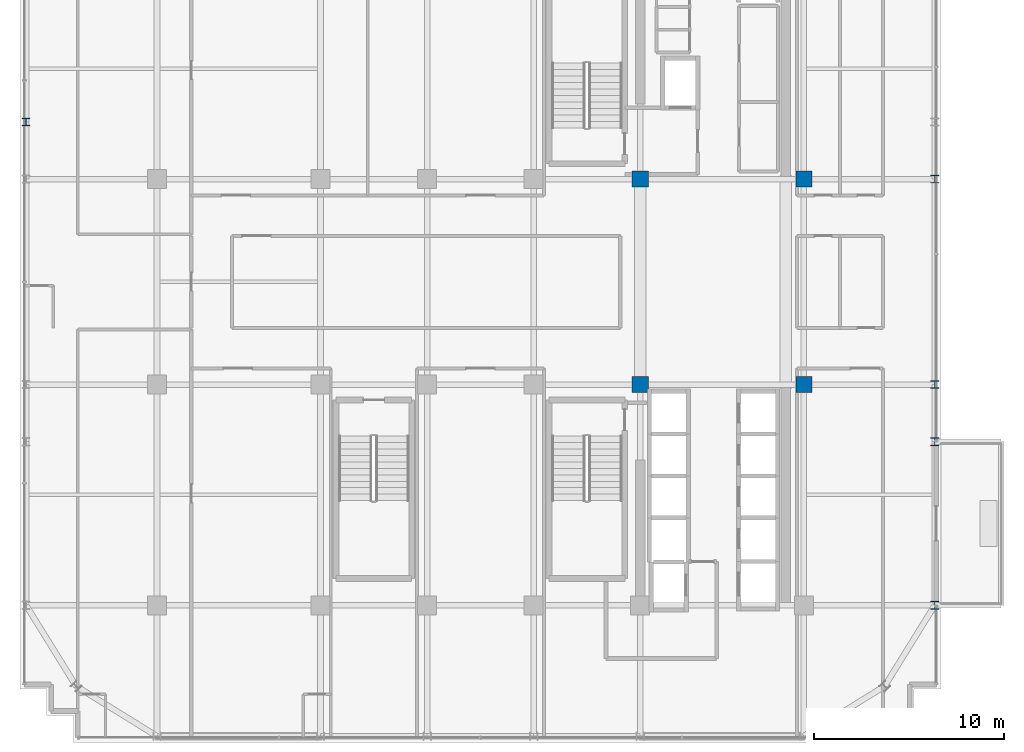
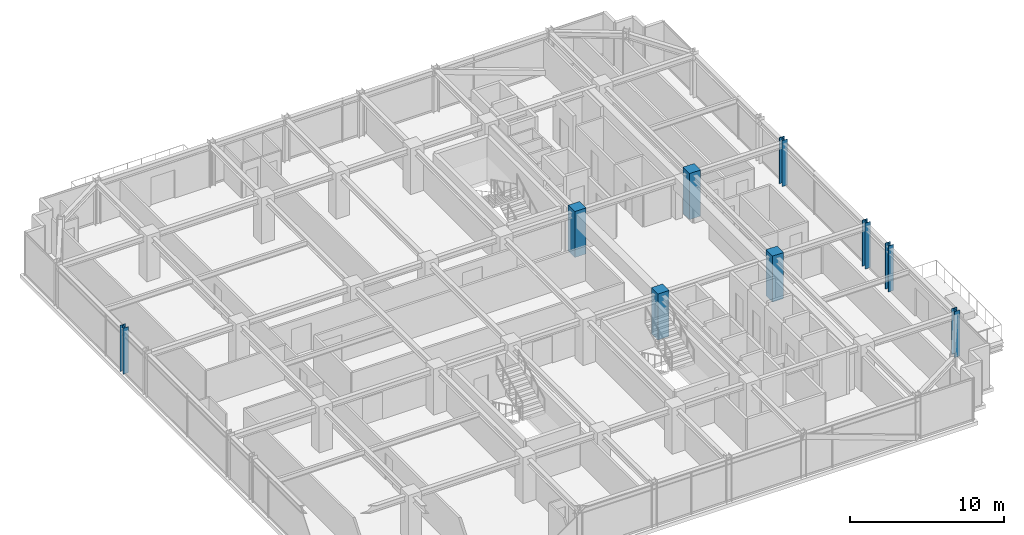
# One storey, part 2 of 36: 9 columns.
"""IFC4 building model written with IfcOpenShell, lengths in metres."""

from ifc_helpers import new_model, si_unit, direction, frame, origin, origin_2d, place, context, subcontext, project, spatial, rectangle, i_section, extrude, source, transform, mapped, material, material_profile, profile_set, type_object, element, save


model = new_model("IFC4")

# Units and contexts
model_context = context("Model", 3, precision=1e-05, world=origin(), true_north=direction((0.0, 1.0)))
body_context = subcontext(model_context, "Body", "Model", "MODEL_VIEW")
ifc_project = project(units=[si_unit("LENGTHUNIT", "METRE"), si_unit("AREAUNIT", "SQUARE_METRE"), si_unit("VOLUMEUNIT", "CUBIC_METRE"), si_unit("PLANEANGLEUNIT", "RADIAN"), si_unit("MASSUNIT", "GRAM", prefix="KILO")], contexts=[model_context])

# Site, building, storey
site_placement = place(None, origin())
site = spatial("IfcSite", under=ifc_project, at=site_placement, CompositionType="ELEMENT")
building_placement = place(site_placement, origin())
building = spatial("IfcBuilding", under=site, at=building_placement, Name="Nahalor Promenade Grand Hotel", CompositionType="ELEMENT")
storey_placement = place(building_placement, frame((0.0, 0.0, 234.5)))
storey = spatial("IfcBuildingStorey", under=building, at=storey_placement, Name="L60", CompositionType="ELEMENT", Elevation=234.5)

# Columns
ifc_material_1 = material(Name="Concrete B-70 (C60/75)", Category="concrete")
ifc_material_profile_1 = material_profile(ifc_material_1, rectangle(XDim=0.85, YDim=0.85, at=origin_2d()), Name="RC 850x850")
ifc_profile_set_1 = profile_set([ifc_material_profile_1], Name="Concrete B-70 (C60/75)")
column_type_1 = type_object("IfcColumnType", Name="Col-Pilaster-850", PredefinedType="PILASTER", material=ifc_profile_set_1)
shared_shape_1 = source(origin(), body_context, "Body", "SweptSolid", [
    extrude(rectangle(XDim=0.85, YDim=0.85, at=origin_2d()), origin(), (0.0, 0.0, 1.0), 3.655029296875),
])
for number, where, z_axis, x_axis, name in (
    (1, (8.39990234375, -5.39990234375, 0.0), (0.0, 0.0, 1.0), (1.0, 0.0, 0.0), "COL-L60-I41"),
    (2, (8.39990234375, 5.39990234375, 0.0), (0.0, 0.0, 1.0), (1.0, 0.0, 0.0), "COL-L60-I42"),
    (3, (17.0, -5.39990234375, 0.0), (0.0, 0.0, 1.0), (1.0, 0.0, 0.0), "COL-L60-I51"),
    (4, (17.0, 5.39990234375, 0.0), (0.0, 0.0, 1.0), (1.0, 0.0, 0.0), "COL-L60-I52"),
):
    element("IfcColumn", number, at=place(storey_placement, frame(where, z_axis=z_axis, x_axis=x_axis)), inside=storey, type_object=column_type_1, Name=name, PredefinedType="PILASTER", context=body_context, shape_type="MappedRepresentation", body=[
        mapped(shared_shape_1, transform((0.0, 0.0, 0.0), scale=1.0)),
    ])
ifc_material_2 = material(Name="Steel S355JR", Category="steel")
ifc_material_profile_2 = material_profile(ifc_material_2, i_section(OverallWidth=0.401, OverallDepth=0.406, WebThickness=0.0161, FlangeThickness=0.025, at=origin_2d()), Name="HD 400x314")
ifc_profile_set_2 = profile_set([ifc_material_profile_2], Name="Steel S355JR")
column_type_2 = type_object("IfcColumnType", Name="Col-Steel-HD314", PredefinedType="COLUMN", material=ifc_profile_set_2)
shared_shape_2 = source(origin(), body_context, "Body", "SweptSolid", [
    extrude(i_section(OverallWidth=0.401, OverallDepth=0.406, WebThickness=0.0161, FlangeThickness=0.025, at=origin_2d()), origin(), (0.0, 0.0, 1.0), 3.655029296875),
])
for number, where, z_axis, x_axis, name in (
    (5, (23.8798828125, -17.0, 0.0), (0.0, 0.0, 1.0), (1.0, 0.0, 0.0), "COL-L60-PW-E0"),
    (6, (23.8798828125, -8.39990234375, 0.0), (0.0, 0.0, 1.0), (1.0, 0.0, 0.0), "COL-L60-PW-E1"),
    (7, (23.8798828125, -5.39990234375, 0.0), (0.0, 0.0, 1.0), (1.0, 0.0, 0.0), "COL-L60-PW-E2"),
    (8, (23.8798828125, 5.39990234375, 0.0), (0.0, 0.0, 1.0), (1.0, 0.0, 0.0), "COL-L60-PW-E3"),
    (9, (-23.8798828125, 8.39990234375, 0.0), (0.0, 0.0, 1.0), (1.0, 0.0, 0.0), "COL-L60-PW-W4"),
):
    element("IfcColumn", number, at=place(storey_placement, frame(where, z_axis=z_axis, x_axis=x_axis)), inside=storey, type_object=column_type_2, Name=name, PredefinedType="COLUMN", context=body_context, shape_type="MappedRepresentation", body=[
        mapped(shared_shape_2, transform((0.0, 0.0, 0.0), scale=1.0)),
    ])

save(model, "model.ifc")
